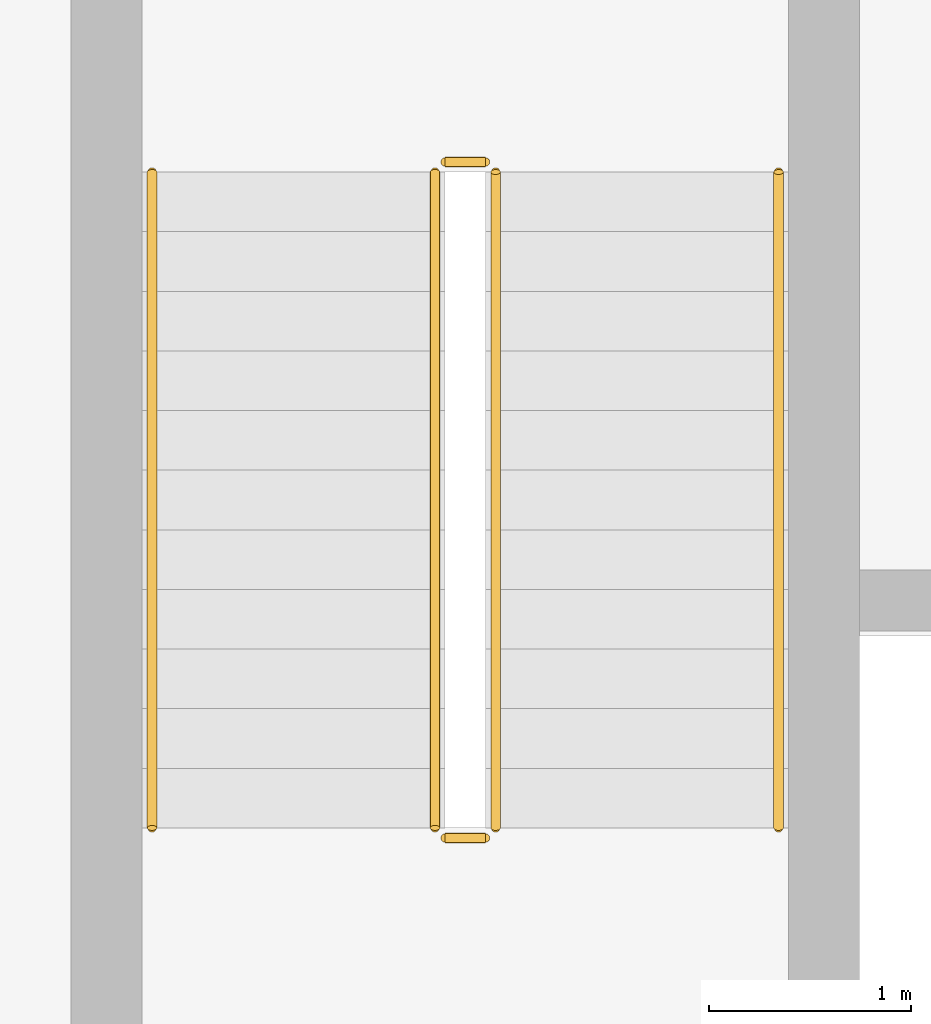
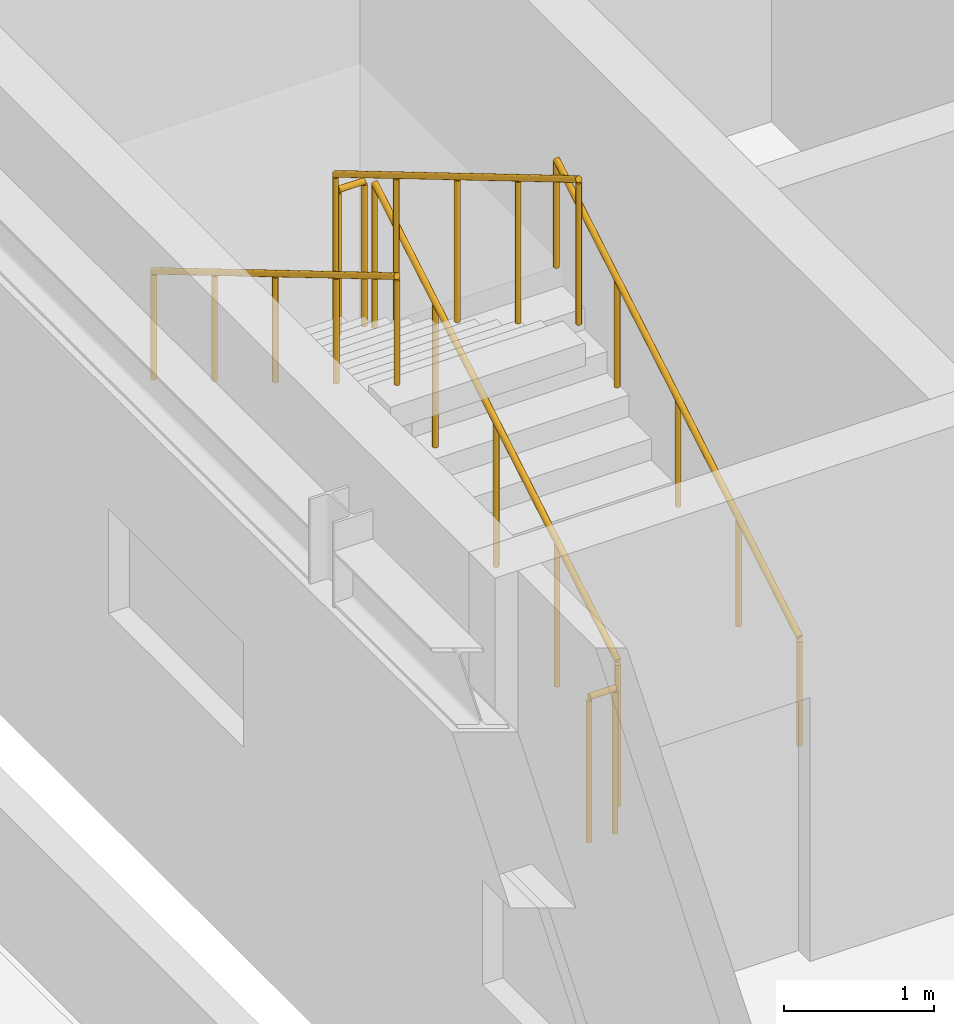
# One storey, part 88 of 88: 6 railings.
"""IFC4 building model written with IfcOpenShell, lengths in metres."""

from ifc_helpers import new_model, si_unit, direction, frame, origin, origin_2d, place, context, subcontext, project, spatial, circle, extrude, material, layer, layer_set, type_object, element, save


model = new_model("IFC4")

# Units and contexts
model_context = context("Model", 3, precision=1e-05, world=origin(), true_north=direction((0.0, 1.0)))
body_context = subcontext(model_context, "Body", "Model", "MODEL_VIEW")
ifc_project = project(units=[si_unit("LENGTHUNIT", "METRE"), si_unit("AREAUNIT", "SQUARE_METRE"), si_unit("VOLUMEUNIT", "CUBIC_METRE"), si_unit("PLANEANGLEUNIT", "RADIAN"), si_unit("MASSUNIT", "GRAM", prefix="KILO")], contexts=[model_context])

# Site, building, storey
site_placement = place(None, origin())
site = spatial("IfcSite", under=ifc_project, at=site_placement, CompositionType="ELEMENT")
building_placement = place(site_placement, origin())
building = spatial("IfcBuilding", under=site, at=building_placement, Name="Nordkorset Police Headquarters", CompositionType="ELEMENT")
storey_placement = place(building_placement, frame((0.0, 0.0, 9.449951171875)))
storey = spatial("IfcBuildingStorey", under=building, at=storey_placement, Name="L02", CompositionType="ELEMENT", Elevation=9.449951171875)

# Railings
ifc_material_1 = material(Name="Steel S355J2", Category="steel")
ifc_layer_1 = layer(ifc_material_1, 0.048095703125, Name="Steel S355J2")
ifc_layer_set_1 = layer_set([ifc_layer_1], Name="Steel S355J2")
railing_type_1 = type_object("IfcRailingType", Name="Railing_Handrail_900", PredefinedType="HANDRAIL", material=ifc_layer_set_1)
railing_1_placement = place(storey_placement, frame((130.52490234375, 10.625, 0.175048828125)))
element("IfcRailing", 1, at=railing_1_placement, inside=storey, type_object=railing_type_1, Name="L02 ST-06 stair handrail 1", PredefinedType="HANDRAIL", context=body_context, shape_type="SweptSolid", body=[
    extrude(circle(Radius=0.02392578125, at=origin_2d()), frame((0.0, 0.0, 0.8759765625), z_axis=(0.0, 0.860057060016, 0.510197857224), x_axis=(-1.0, 0.0, 0.0)), (0.0, 0.0, 1.0), 3.773193359375),
    extrude(circle(Radius=0.02099609375, at=origin_2d()), origin(), (0.0, 0.0, 1.0), 0.851806640625),
    extrude(circle(Radius=0.02099609375, at=origin_2d()), frame((0.0, 0.811279296875, 0.481201171875)), (0.0, 0.0, 1.0), 0.851806640625),
    extrude(circle(Radius=0.02099609375, at=origin_2d()), frame((0.0, 1.62255859375, 0.96240234375)), (0.0, 0.0, 1.0), 0.851806640625),
    extrude(circle(Radius=0.02099609375, at=origin_2d()), frame((0.0, 2.433837890625, 1.44384765625)), (0.0, 0.0, 1.0), 0.851806640625),
    extrude(circle(Radius=0.02099609375, at=origin_2d()), frame((0.0, 3.2451171875, 1.925048828125)), (0.0, 0.0, 1.0), 0.851806640625),
])
railing_2_placement = place(storey_placement, frame((127.425048828125, 13.8701171875, 2.275146484375)))
element("IfcRailing", 2, at=railing_2_placement, inside=storey, type_object=railing_type_1, Name="L02 ST-06 stair handrail 2", PredefinedType="HANDRAIL", context=body_context, shape_type="SweptSolid", body=[
    extrude(circle(Radius=0.02392578125, at=origin_2d()), frame((0.0, 0.0, 0.8759765625), z_axis=(0.0, -0.860085452069, 0.510149992786), x_axis=(1.0, 0.0, 0.0)), (0.0, 0.0, 1.0), 3.77294921875),
    extrude(circle(Radius=0.02099609375, at=origin_2d()), origin(), (0.0, 0.0, 1.0), 0.851806640625),
    extrude(circle(Radius=0.02099609375, at=origin_2d()), frame((0.0, -0.811279296875, 0.481201171875)), (0.0, 0.0, 1.0), 0.851806640625),
    extrude(circle(Radius=0.02099609375, at=origin_2d()), frame((0.0, -1.62255859375, 0.96240234375)), (0.0, 0.0, 1.0), 0.851806640625),
    extrude(circle(Radius=0.02099609375, at=origin_2d()), frame((0.0, -2.433837890625, 1.443603515625)), (0.0, 0.0, 1.0), 0.851806640625),
    extrude(circle(Radius=0.02099609375, at=origin_2d()), frame((0.0, -3.2451171875, 1.9248046875)), (0.0, 0.0, 1.0), 0.851806640625),
])
ifc_material_2 = material(Name="Steel S355J2", Category="steel")
ifc_layer_2 = layer(ifc_material_2, 0.050048828125, Name="Steel S355J2")
ifc_layer_set_2 = layer_set([ifc_layer_2], Name="Steel S355J2")
railing_type_2 = type_object("IfcRailingType", Name="Railing_StairGuard_1200", PredefinedType="GUARDRAIL", material=ifc_layer_set_2)
railing_3_placement = place(storey_placement, frame((129.125, 10.625, 0.175048828125)))
element("IfcRailing", 3, at=railing_3_placement, inside=storey, type_object=railing_type_2, Name="L02 ST-06 stair guard 1", PredefinedType="GUARDRAIL", context=body_context, shape_type="SweptSolid", body=[
    extrude(circle(Radius=0.02392578125, at=origin_2d()), frame((0.0, 0.0, 1.17578125), z_axis=(0.0, 0.860057060016, 0.510197857224), x_axis=(-1.0, 0.0, 0.0)), (0.0, 0.0, 1.0), 3.773193359375),
    extrude(circle(Radius=0.02099609375, at=origin_2d()), origin(), (0.0, 0.0, 1.0), 1.15185546875),
    extrude(circle(Radius=0.02099609375, at=origin_2d()), frame((0.0, 0.811279296875, 0.481201171875)), (0.0, 0.0, 1.0), 1.15185546875),
    extrude(circle(Radius=0.02099609375, at=origin_2d()), frame((0.0, 1.62255859375, 0.96240234375)), (0.0, 0.0, 1.0), 1.15185546875),
    extrude(circle(Radius=0.02099609375, at=origin_2d()), frame((0.0, 2.433837890625, 1.44384765625)), (0.0, 0.0, 1.0), 1.15185546875),
    extrude(circle(Radius=0.02099609375, at=origin_2d()), frame((0.0, 3.2451171875, 1.925048828125)), (0.0, 0.0, 1.0), 1.15185546875),
])
railing_4_placement = place(storey_placement, frame((129.074951171875, 13.919921875, 2.10009765625)))
element("IfcRailing", 4, at=railing_4_placement, inside=storey, type_object=railing_type_2, Name="L02 ST-06 stair guard 2", PredefinedType="GUARDRAIL", context=body_context, shape_type="SweptSolid", body=[
    extrude(circle(Radius=0.02392578125, at=origin_2d()), frame((0.0, 0.0, 1.17578125), z_axis=(-1.0, 0.0, 0.0), x_axis=(0.0, -1.0, 0.0)), (0.0, 0.0, 1.0), 0.199951171875),
    extrude(circle(Radius=0.02099609375, at=origin_2d()), origin(), (0.0, 0.0, 1.0), 1.15185546875),
    extrude(circle(Radius=0.02099609375, at=origin_2d()), frame((-0.199951171875, 0.0, 0.0)), (0.0, 0.0, 1.0), 1.15185546875),
])
railing_5_placement = place(storey_placement, frame((128.824951171875, 13.8701171875, 2.275146484375)))
element("IfcRailing", 5, at=railing_5_placement, inside=storey, type_object=railing_type_2, Name="L02 ST-06 stair guard 3", PredefinedType="GUARDRAIL", context=body_context, shape_type="SweptSolid", body=[
    extrude(circle(Radius=0.02392578125, at=origin_2d()), frame((0.0, 0.0, 1.17578125), z_axis=(0.0, -0.860085452069, 0.510149992786), x_axis=(1.0, 0.0, 0.0)), (0.0, 0.0, 1.0), 3.77294921875),
    extrude(circle(Radius=0.02099609375, at=origin_2d()), origin(), (0.0, 0.0, 1.0), 1.15185546875),
    extrude(circle(Radius=0.02099609375, at=origin_2d()), frame((0.0, -0.811279296875, 0.481201171875)), (0.0, 0.0, 1.0), 1.15185546875),
    extrude(circle(Radius=0.02099609375, at=origin_2d()), frame((0.0, -1.62255859375, 0.96240234375)), (0.0, 0.0, 1.0), 1.15185546875),
    extrude(circle(Radius=0.02099609375, at=origin_2d()), frame((0.0, -2.433837890625, 1.443603515625)), (0.0, 0.0, 1.0), 1.15185546875),
    extrude(circle(Radius=0.02099609375, at=origin_2d()), frame((0.0, -3.2451171875, 1.9248046875)), (0.0, 0.0, 1.0), 1.15185546875),
])
railing_6_placement = place(storey_placement, frame((129.074951171875, 10.574951171875, 0.0)))
element("IfcRailing", 6, at=railing_6_placement, inside=storey, type_object=railing_type_2, Name="L02 ST-06 stair guard 4", PredefinedType="GUARDRAIL", context=body_context, shape_type="SweptSolid", body=[
    extrude(circle(Radius=0.02392578125, at=origin_2d()), frame((0.0, 0.0, 1.17578125), z_axis=(-1.0, 0.0, 0.0), x_axis=(0.0, -1.0, 0.0)), (0.0, 0.0, 1.0), 0.199951171875),
    extrude(circle(Radius=0.02099609375, at=origin_2d()), origin(), (0.0, 0.0, 1.0), 1.15185546875),
    extrude(circle(Radius=0.02099609375, at=origin_2d()), frame((-0.199951171875, 0.0, 0.0)), (0.0, 0.0, 1.0), 1.15185546875),
])

save(model, "model.ifc")
